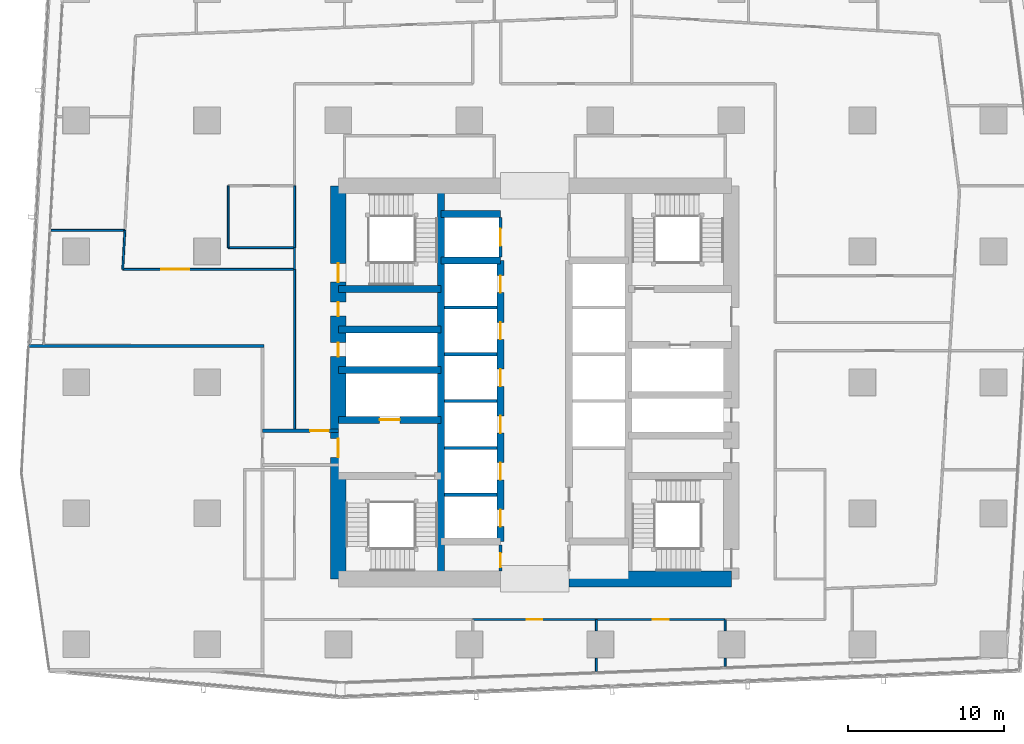
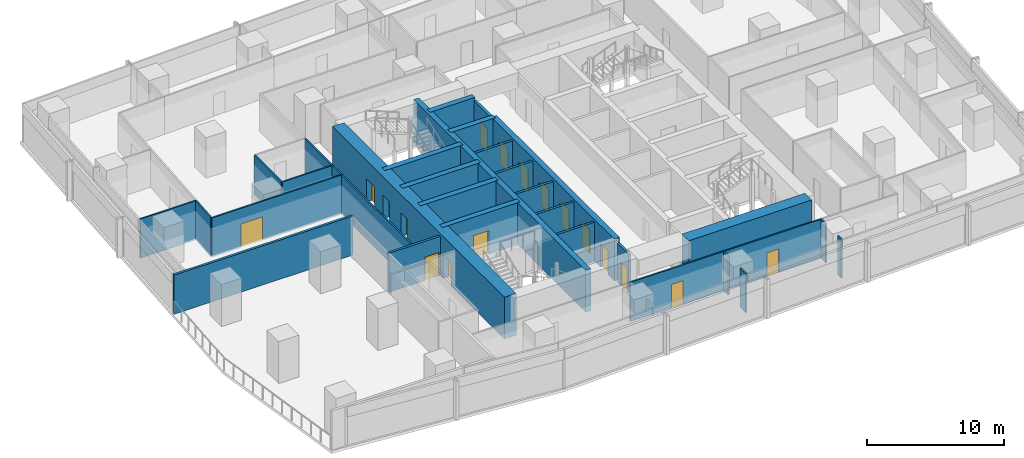
# One storey, part 27 of 38: 33 walls, 17 doors, 17 openings.
"""IFC4 building model written with IfcOpenShell, lengths in metres."""

from ifc_helpers import new_model, si_unit, direction, frame, frame_2d, origin, place, context, subcontext, project, spatial, rectangle, extrude, material, layer, layer_set, type_object, element, fill, save


model = new_model("IFC4")

# Units and contexts
model_context = context("Model", 3, precision=1e-05, world=origin(), true_north=direction((0.0, 1.0)))
body_context = subcontext(model_context, "Body", "Model", "MODEL_VIEW")
ifc_project = project(units=[si_unit("LENGTHUNIT", "METRE"), si_unit("AREAUNIT", "SQUARE_METRE"), si_unit("VOLUMEUNIT", "CUBIC_METRE"), si_unit("PLANEANGLEUNIT", "RADIAN"), si_unit("MASSUNIT", "GRAM", prefix="KILO")], contexts=[model_context])

# Site, building, storey
site_placement = place(None, origin())
site = spatial("IfcSite", under=ifc_project, at=site_placement, CompositionType="ELEMENT")
building_placement = place(site_placement, origin())
building = spatial("IfcBuilding", under=site, at=building_placement, Name="Rekha Terrace Tower", CompositionType="ELEMENT")
storey_placement = place(building_placement, frame((0.0, 0.0, 114.050048828125)))
storey = spatial("IfcBuildingStorey", under=building, at=storey_placement, Name="L28", CompositionType="ELEMENT", Elevation=114.050048828125)

# Wall
ifc_material_1 = material(Name="Concrete M70", Category="concrete")
ifc_layer_1 = layer(ifc_material_1, 0.449951171875)
ifc_layer_set_1 = layer_set([ifc_layer_1], Name="Concrete M70")
wall_type_1 = type_object("IfcWallType", Name="CI2 450 core internal shear wall", PredefinedType="SHEAR", material=ifc_layer_set_1)
wall_1_placement = place(storey_placement, frame((31.800048828125, 21.0, 0.0), z_axis=(0.0, 0.0, 1.0), x_axis=(0.0, 1.0, 0.0)))
element("IfcWall", 1, at=wall_1_placement, inside=storey, type_object=wall_type_1, Name="Core wall X318 L28", PredefinedType="SHEAR", context=body_context, shape_type="SweptSolid", body=[
    extrude(rectangle(XDim=25.199951171875, YDim=0.449951171875, at=frame_2d((12.60009765625, 0.0))), origin(), (0.0, 0.0, 1.0), 3.75),
])

# Wall, openings, doors
wall_2_placement = place(storey_placement, frame((35.60009765625, 23.39990234375, 0.0), z_axis=(0.0, 0.0, 1.0), x_axis=(0.0, 1.0, 0.0)))
wall_2 = element("IfcWall", 2, at=wall_2_placement, inside=storey, type_object=wall_type_1, Name="Core wall X356 L28", PredefinedType="SHEAR", context=body_context, shape_type="SweptSolid", body=[
    extrude(rectangle(XDim=18.0, YDim=0.449951171875, at=frame_2d((9.0, 0.0))), origin(), (0.0, 0.0, 1.0), 3.75),
])
opening_1_placement = place(wall_2_placement, frame((0.949951171875, 0.0, 0.0)))
opening_1 = element("IfcOpeningElement", 3, at=opening_1_placement, cuts=wall_2, Name="Opening LD1", PredefinedType="OPENING", context=body_context, shape_type="SweptSolid", body=[
    extrude(rectangle(XDim=1.10009765625, YDim=2.10009765625, at=frame_2d((0.550048828125, 1.050048828125))), frame((0.0, 0.23486328125, 0.0), z_axis=(0.0, -1.0, 0.0), x_axis=(1.0, 0.0, 0.0)), (0.0, 0.0, 1.0), 0.469970703125),
])
opening_2_placement = place(wall_2_placement, frame((3.949951171875, 0.0, 0.0)))
opening_2 = element("IfcOpeningElement", 4, at=opening_2_placement, cuts=wall_2, Name="Opening LD1", PredefinedType="OPENING", context=body_context, shape_type="SweptSolid", body=[
    extrude(rectangle(XDim=1.10009765625, YDim=2.10009765625, at=frame_2d((0.550048828125, 1.050048828125))), frame((0.0, 0.23486328125, 0.0), z_axis=(0.0, -1.0, 0.0), x_axis=(1.0, 0.0, 0.0)), (0.0, 0.0, 1.0), 0.469970703125),
])
opening_3_placement = place(wall_2_placement, frame((6.949951171875, 0.0, 0.0)))
opening_3 = element("IfcOpeningElement", 5, at=opening_3_placement, cuts=wall_2, Name="Opening LD1", PredefinedType="OPENING", context=body_context, shape_type="SweptSolid", body=[
    extrude(rectangle(XDim=1.10009765625, YDim=2.10009765625, at=frame_2d((0.550048828125, 1.050048828125))), frame((0.0, 0.23486328125, 0.0), z_axis=(0.0, -1.0, 0.0), x_axis=(1.0, 0.0, 0.0)), (0.0, 0.0, 1.0), 0.469970703125),
])
opening_4_placement = place(wall_2_placement, frame((9.949951171875, 0.0, 0.0)))
opening_4 = element("IfcOpeningElement", 6, at=opening_4_placement, cuts=wall_2, Name="Opening LD1", PredefinedType="OPENING", context=body_context, shape_type="SweptSolid", body=[
    extrude(rectangle(XDim=1.10009765625, YDim=2.10009765625, at=frame_2d((0.550048828125, 1.050048828125))), frame((0.0, 0.23486328125, 0.0), z_axis=(0.0, -1.0, 0.0), x_axis=(1.0, 0.0, 0.0)), (0.0, 0.0, 1.0), 0.469970703125),
])
opening_5_placement = place(wall_2_placement, frame((12.949951171875, 0.0, 0.0)))
opening_5 = element("IfcOpeningElement", 7, at=opening_5_placement, cuts=wall_2, Name="Opening LD1", PredefinedType="OPENING", context=body_context, shape_type="SweptSolid", body=[
    extrude(rectangle(XDim=1.10009765625, YDim=2.10009765625, at=frame_2d((0.550048828125, 1.050048828125))), frame((0.0, 0.23486328125, 0.0), z_axis=(0.0, -1.0, 0.0), x_axis=(1.0, 0.0, 0.0)), (0.0, 0.0, 1.0), 0.469970703125),
])
opening_6_placement = place(wall_2_placement, frame((15.949951171875, 0.0, 0.0)))
opening_6 = element("IfcOpeningElement", 8, at=opening_6_placement, cuts=wall_2, Name="Opening LD1", PredefinedType="OPENING", context=body_context, shape_type="SweptSolid", body=[
    extrude(rectangle(XDim=1.10009765625, YDim=2.10009765625, at=frame_2d((0.550048828125, 1.050048828125))), frame((0.0, 0.23486328125, 0.0), z_axis=(0.0, -1.0, 0.0), x_axis=(1.0, 0.0, 0.0)), (0.0, 0.0, 1.0), 0.469970703125),
])
ifc_material_2 = material(Name="Stainless steel sliding landing door", Category="steel")
door_type_1 = type_object("IfcDoorType", Name="LD1 1100x2100 lift landing door", OperationType="SLIDING_TO_LEFT", PredefinedType="USERDEFINED", material=ifc_material_2)
door_1_placement = place(opening_1_placement, origin())
door_1 = element("IfcDoor", 9, at=door_1_placement, inside=storey, type_object=door_type_1, Name="Lift B1 landing door L28", ObjectType="LIFT LANDING DOOR", OperationType="SLIDING_TO_LEFT", OverallHeight=2.10009765625, OverallWidth=1.10009765625, PredefinedType="USERDEFINED", context=body_context, shape_type="SweptSolid", body=[
    extrude(rectangle(XDim=1.10009765625, YDim=2.10009765625, at=frame_2d((0.550048828125, 1.050048828125))), frame((0.0, 0.02490234375, 0.0), z_axis=(0.0, -1.0, 0.0), x_axis=(1.0, 0.0, 0.0)), (0.0, 0.0, 1.0), 0.050048828125),
])
fill(opening_1, door_1)
door_2_placement = place(opening_2_placement, origin())
door_2 = element("IfcDoor", 10, at=door_2_placement, inside=storey, type_object=door_type_1, Name="Lift B2 landing door L28", ObjectType="LIFT LANDING DOOR", OperationType="SLIDING_TO_LEFT", OverallHeight=2.10009765625, OverallWidth=1.10009765625, PredefinedType="USERDEFINED", context=body_context, shape_type="SweptSolid", body=[
    extrude(rectangle(XDim=1.10009765625, YDim=2.10009765625, at=frame_2d((0.550048828125, 1.050048828125))), frame((0.0, 0.02490234375, 0.0), z_axis=(0.0, -1.0, 0.0), x_axis=(1.0, 0.0, 0.0)), (0.0, 0.0, 1.0), 0.050048828125),
])
fill(opening_2, door_2)
door_3_placement = place(opening_3_placement, origin())
door_3 = element("IfcDoor", 11, at=door_3_placement, inside=storey, type_object=door_type_1, Name="Lift B3 landing door L28", ObjectType="LIFT LANDING DOOR", OperationType="SLIDING_TO_LEFT", OverallHeight=2.10009765625, OverallWidth=1.10009765625, PredefinedType="USERDEFINED", context=body_context, shape_type="SweptSolid", body=[
    extrude(rectangle(XDim=1.10009765625, YDim=2.10009765625, at=frame_2d((0.550048828125, 1.050048828125))), frame((0.0, 0.02490234375, 0.0), z_axis=(0.0, -1.0, 0.0), x_axis=(1.0, 0.0, 0.0)), (0.0, 0.0, 1.0), 0.050048828125),
])
fill(opening_3, door_3)
door_4_placement = place(opening_4_placement, origin())
door_4 = element("IfcDoor", 12, at=door_4_placement, inside=storey, type_object=door_type_1, Name="Lift B4 landing door L28", ObjectType="LIFT LANDING DOOR", OperationType="SLIDING_TO_LEFT", OverallHeight=2.10009765625, OverallWidth=1.10009765625, PredefinedType="USERDEFINED", context=body_context, shape_type="SweptSolid", body=[
    extrude(rectangle(XDim=1.10009765625, YDim=2.10009765625, at=frame_2d((0.550048828125, 1.050048828125))), frame((0.0, 0.02490234375, 0.0), z_axis=(0.0, -1.0, 0.0), x_axis=(1.0, 0.0, 0.0)), (0.0, 0.0, 1.0), 0.050048828125),
])
fill(opening_4, door_4)
door_5_placement = place(opening_5_placement, origin())
door_5 = element("IfcDoor", 13, at=door_5_placement, inside=storey, type_object=door_type_1, Name="Lift B5 landing door L28", ObjectType="LIFT LANDING DOOR", OperationType="SLIDING_TO_LEFT", OverallHeight=2.10009765625, OverallWidth=1.10009765625, PredefinedType="USERDEFINED", context=body_context, shape_type="SweptSolid", body=[
    extrude(rectangle(XDim=1.10009765625, YDim=2.10009765625, at=frame_2d((0.550048828125, 1.050048828125))), frame((0.0, 0.02490234375, 0.0), z_axis=(0.0, -1.0, 0.0), x_axis=(1.0, 0.0, 0.0)), (0.0, 0.0, 1.0), 0.050048828125),
])
fill(opening_5, door_5)
door_6_placement = place(opening_6_placement, origin())
door_6 = element("IfcDoor", 14, at=door_6_placement, inside=storey, type_object=door_type_1, Name="Lift B6 landing door L28", ObjectType="LIFT LANDING DOOR", OperationType="SLIDING_TO_LEFT", OverallHeight=2.10009765625, OverallWidth=1.10009765625, PredefinedType="USERDEFINED", context=body_context, shape_type="SweptSolid", body=[
    extrude(rectangle(XDim=1.10009765625, YDim=2.10009765625, at=frame_2d((0.550048828125, 1.050048828125))), frame((0.0, 0.02490234375, 0.0), z_axis=(0.0, -1.0, 0.0), x_axis=(1.0, 0.0, 0.0)), (0.0, 0.0, 1.0), 0.050048828125),
])
fill(opening_6, door_6)

# Walls
for number, where, z_axis, x_axis, name in (
    (15, (31.800048828125, 41.39990234375, 0.0), (0.0, 0.0, 1.0), (1.0, 0.0, 0.0), "Core wall Y414W L28"),
    (16, (31.800048828125, 44.39990234375, 0.0), (0.0, 0.0, 1.0), (1.0, 0.0, 0.0), "Core wall Y444W L28"),
):
    element("IfcWall", number, at=place(storey_placement, frame(where, z_axis=z_axis, x_axis=x_axis)), inside=storey, type_object=wall_type_1, Name=name, PredefinedType="SHEAR", context=body_context, shape_type="SweptSolid", body=[
        extrude(rectangle(XDim=3.800048828125, YDim=0.449951171875, at=frame_2d((1.89990234375, 0.0))), origin(), (0.0, 0.0, 1.0), 3.75),
    ])

# Wall, opening, door
wall_3_placement = place(storey_placement, frame((25.199951171875, 31.199951171875, 0.0), z_axis=(0.0, 0.0, 1.0), x_axis=(1.0, 0.0, 0.0)))
wall_3 = element("IfcWall", 17, at=wall_3_placement, inside=storey, type_object=wall_type_1, Name="Core wall Y312W L28", PredefinedType="SHEAR", context=body_context, shape_type="SweptSolid", body=[
    extrude(rectangle(XDim=6.60009765625, YDim=0.449951171875, at=frame_2d((3.300048828125, 0.0))), origin(), (0.0, 0.0, 1.0), 3.75),
])
opening_7_placement = place(wall_3_placement, frame((2.64990234375, 0.0, 0.0)))
opening_7 = element("IfcOpeningElement", 18, at=opening_7_placement, cuts=wall_3, Name="Opening LD2", PredefinedType="OPENING", context=body_context, shape_type="SweptSolid", body=[
    extrude(rectangle(XDim=1.300048828125, YDim=2.10009765625, at=frame_2d((0.64990234375, 1.050048828125))), frame((0.0, 0.23486328125, 0.0), z_axis=(0.0, -1.0, 0.0), x_axis=(1.0, 0.0, 0.0)), (0.0, 0.0, 1.0), 0.469970703125),
])
door_type_2 = type_object("IfcDoorType", Name="LD2 1300x2100 fire lift landing door", OperationType="SLIDING_TO_LEFT", PredefinedType="USERDEFINED", material=ifc_material_2)
door_7_placement = place(opening_7_placement, origin())
door_7 = element("IfcDoor", 19, at=door_7_placement, inside=storey, type_object=door_type_2, Name="Lift FL1 landing door L28", ObjectType="LIFT LANDING DOOR", OperationType="SLIDING_TO_LEFT", OverallHeight=2.10009765625, OverallWidth=1.300048828125, PredefinedType="USERDEFINED", context=body_context, shape_type="SweptSolid", body=[
    extrude(rectangle(XDim=1.300048828125, YDim=2.10009765625, at=frame_2d((0.64990234375, 1.050048828125))), frame((0.0, 0.02490234375, 0.0), z_axis=(0.0, -1.0, 0.0), x_axis=(1.0, 0.0, 0.0)), (0.0, 0.0, 1.0), 0.050048828125),
])
fill(opening_7, door_7)

# Walls
for number, where, z_axis, x_axis, name in (
    (20, (25.199951171875, 34.39990234375, 0.0), (0.0, 0.0, 1.0), (1.0, 0.0, 0.0), "Core wall Y344W L28"),
    (21, (25.199951171875, 37.0, 0.0), (0.0, 0.0, 1.0), (1.0, 0.0, 0.0), "Core wall Y370W L28"),
    (22, (25.199951171875, 39.60009765625, 0.0), (0.0, 0.0, 1.0), (1.0, 0.0, 0.0), "Core wall Y396W L28"),
):
    element("IfcWall", number, at=place(storey_placement, frame(where, z_axis=z_axis, x_axis=x_axis)), inside=storey, type_object=wall_type_1, Name=name, PredefinedType="SHEAR", context=body_context, shape_type="SweptSolid", body=[
        extrude(rectangle(XDim=6.60009765625, YDim=0.449951171875, at=frame_2d((3.300048828125, 0.0))), origin(), (0.0, 0.0, 1.0), 3.75),
    ])
ifc_layer_2 = layer(ifc_material_1, 1.0)
ifc_layer_set_2 = layer_set([ifc_layer_2], Name="Concrete M70")
wall_type_2 = type_object("IfcWallType", Name="SW2 1000 core outer shear wall", PredefinedType="SHEAR", material=ifc_layer_set_2)
wall_4_placement = place(storey_placement, frame((40.0, 21.0, 0.0), z_axis=(0.0, 0.0, 1.0), x_axis=(1.0, 0.0, 0.0)))
element("IfcWall", 23, at=wall_4_placement, inside=storey, type_object=wall_type_2, Name="Core wall S2 L28", PredefinedType="SHEAR", context=body_context, shape_type="SweptSolid", body=[
    extrude(rectangle(XDim=10.39990234375, YDim=1.0, at=frame_2d((5.199951171875, 0.0))), origin(), (0.0, 0.0, 1.0), 3.75),
])

# Wall, openings, doors
wall_5_placement = place(storey_placement, frame((25.199951171875, 21.0, 0.0), z_axis=(0.0, 0.0, 1.0), x_axis=(0.0, 1.0, 0.0)))
wall_5 = element("IfcWall", 24, at=wall_5_placement, inside=storey, type_object=wall_type_2, Name="Core wall W L28", PredefinedType="SHEAR", context=body_context, shape_type="SweptSolid", body=[
    extrude(rectangle(XDim=25.199951171875, YDim=1.0, at=frame_2d((12.60009765625, 0.0))), origin(), (0.0, 0.0, 1.0), 3.75),
])
opening_8_placement = place(wall_5_placement, frame((7.800048828125, 0.0, 0.0)))
opening_8 = element("IfcOpeningElement", 25, at=opening_8_placement, cuts=wall_5, Name="Opening D2", PredefinedType="OPENING", context=body_context, shape_type="SweptSolid", body=[
    extrude(rectangle(XDim=1.199951171875, YDim=2.10009765625, at=frame_2d((0.60009765625, 1.050048828125))), frame((0.0, 0.510009765625, 0.0), z_axis=(0.0, -1.0, 0.0), x_axis=(1.0, 0.0, 0.0)), (0.0, 0.0, 1.0), 1.02001953125),
])
opening_9_placement = place(wall_5_placement, frame((14.25, 0.0, 0.0)))
opening_9 = element("IfcOpeningElement", 26, at=opening_9_placement, cuts=wall_5, Name="Opening D5", PredefinedType="OPENING", context=body_context, shape_type="SweptSolid", body=[
    extrude(rectangle(XDim=0.89990234375, YDim=2.10009765625, at=frame_2d((0.449951171875, 1.050048828125))), frame((0.0, 0.510009765625, 0.0), z_axis=(0.0, -1.0, 0.0), x_axis=(1.0, 0.0, 0.0)), (0.0, 0.0, 1.0), 1.02001953125),
])
opening_10_placement = place(wall_5_placement, frame((16.85009765625, 0.0, 0.0)))
opening_10 = element("IfcOpeningElement", 27, at=opening_10_placement, cuts=wall_5, Name="Opening D5", PredefinedType="OPENING", context=body_context, shape_type="SweptSolid", body=[
    extrude(rectangle(XDim=0.89990234375, YDim=2.10009765625, at=frame_2d((0.449951171875, 1.050048828125))), frame((0.0, 0.510009765625, 0.0), z_axis=(0.0, -1.0, 0.0), x_axis=(1.0, 0.0, 0.0)), (0.0, 0.0, 1.0), 1.02001953125),
])
opening_11_placement = place(wall_5_placement, frame((19.02490234375, 0.0, 0.0)))
opening_11 = element("IfcOpeningElement", 28, at=opening_11_placement, cuts=wall_5, Name="Opening D1", PredefinedType="OPENING", context=body_context, shape_type="SweptSolid", body=[
    extrude(rectangle(XDim=1.199951171875, YDim=2.10009765625, at=frame_2d((0.60009765625, 1.050048828125))), frame((0.0, 0.510009765625, 0.0), z_axis=(0.0, -1.0, 0.0), x_axis=(1.0, 0.0, 0.0)), (0.0, 0.0, 1.0), 1.02001953125),
])
ifc_material_3 = material(Name="Steel fire door", Category="steel")
door_type_3 = type_object("IfcDoorType", Name="D1 1200x2100 stair fire door", OperationType="SINGLE_SWING_RIGHT", PredefinedType="DOOR", material=ifc_material_3)
door_8_placement = place(opening_11_placement, origin())
door_8 = element("IfcDoor", 29, at=door_8_placement, inside=storey, type_object=door_type_3, Name="Stair ST4 door L28", OperationType="SINGLE_SWING_RIGHT", OverallHeight=2.10009765625, OverallWidth=1.199951171875, PredefinedType="DOOR", context=body_context, shape_type="SweptSolid", body=[
    extrude(rectangle(XDim=1.199951171875, YDim=2.10009765625, at=frame_2d((0.60009765625, 1.050048828125))), frame((0.0, 0.02490234375, 0.0), z_axis=(0.0, -1.0, 0.0), x_axis=(1.0, 0.0, 0.0)), (0.0, 0.0, 1.0), 0.050048828125),
])
fill(opening_11, door_8)
door_type_4 = type_object("IfcDoorType", Name="D2 1200x2100 firefighting lobby door", OperationType="SINGLE_SWING_LEFT", PredefinedType="DOOR", material=ifc_material_3)
door_9_placement = place(opening_8_placement, origin())
door_9 = element("IfcDoor", 30, at=door_9_placement, inside=storey, type_object=door_type_4, Name="Door flb1 L28", OperationType="SINGLE_SWING_LEFT", OverallHeight=2.10009765625, OverallWidth=1.199951171875, PredefinedType="DOOR", context=body_context, shape_type="SweptSolid", body=[
    extrude(rectangle(XDim=1.199951171875, YDim=2.10009765625, at=frame_2d((0.60009765625, 1.050048828125))), frame((0.0, 0.02490234375, 0.0), z_axis=(0.0, -1.0, 0.0), x_axis=(1.0, 0.0, 0.0)), (0.0, 0.0, 1.0), 0.050048828125),
])
fill(opening_8, door_9)
door_type_5 = type_object("IfcDoorType", Name="D5 900x2100 riser access door", OperationType="SINGLE_SWING_LEFT", PredefinedType="DOOR", material=ifc_material_3)
door_10_placement = place(opening_9_placement, origin())
door_10 = element("IfcDoor", 31, at=door_10_placement, inside=storey, type_object=door_type_5, Name="Door rs1 L28", OperationType="SINGLE_SWING_LEFT", OverallHeight=2.10009765625, OverallWidth=0.89990234375, PredefinedType="DOOR", context=body_context, shape_type="SweptSolid", body=[
    extrude(rectangle(XDim=0.89990234375, YDim=2.10009765625, at=frame_2d((0.449951171875, 1.050048828125))), frame((0.0, 0.02490234375, 0.0), z_axis=(0.0, -1.0, 0.0), x_axis=(1.0, 0.0, 0.0)), (0.0, 0.0, 1.0), 0.050048828125),
])
fill(opening_9, door_10)
door_11_placement = place(opening_10_placement, origin())
door_11 = element("IfcDoor", 32, at=door_11_placement, inside=storey, type_object=door_type_5, Name="Door elw L28", OperationType="SINGLE_SWING_LEFT", OverallHeight=2.10009765625, OverallWidth=0.89990234375, PredefinedType="DOOR", context=body_context, shape_type="SweptSolid", body=[
    extrude(rectangle(XDim=0.89990234375, YDim=2.10009765625, at=frame_2d((0.449951171875, 1.050048828125))), frame((0.0, 0.02490234375, 0.0), z_axis=(0.0, -1.0, 0.0), x_axis=(1.0, 0.0, 0.0)), (0.0, 0.0, 1.0), 0.050048828125),
])
fill(opening_10, door_11)

# Walls
ifc_material_4 = material(Name="Concrete block masonry, 1 hour", Category="masonry")
ifc_layer_3 = layer(ifc_material_4, 0.14990234375)
ifc_layer_set_3 = layer_set([ifc_layer_3], Name="Concrete block masonry, 1 hour")
wall_type_3 = type_object("IfcWallType", Name="WP2 150 tenancy partition", PredefinedType="PARTITIONING", material=ifc_layer_set_3)
wall_6_placement = place(storey_placement, frame((22.39990234375, 42.237060546875, 0.0), z_axis=(0.0, 0.0, 1.0), x_axis=(0.0, -1.0, 0.0)))
element("IfcWall", 33, at=wall_6_placement, inside=storey, type_object=wall_type_3, Name="Partition L28-O2", PredefinedType="PARTITIONING", context=body_context, shape_type="SweptSolid", body=[
    extrude(rectangle(XDim=1.39306640625, YDim=0.14990234375, at=frame_2d((0.696533203125, 0.0))), origin(), (0.0, 0.0, 1.0), 3.5),
])
ifc_material_5 = material(Name="Two layers of fire-rated gypsum board each side on steel studs, acoustic quilt, 1 hour", Category="steel")
ifc_layer_4 = layer(ifc_material_5, 0.125)
ifc_layer_set_4 = layer_set([ifc_layer_4], Name="Two layers of fire-rated gypsum board each side on steel studs, acoustic quilt, 1 hour")
wall_type_4 = type_object("IfcWallType", Name="WP3 125 office partition", PredefinedType="PARTITIONING", material=ifc_layer_set_4)
wall_7_placement = place(storey_placement, frame((41.740966796875, 15.080078125, 0.0), z_axis=(0.0, 0.0, 1.0), x_axis=(0.0, 1.0, 0.0)))
element("IfcWall", 34, at=wall_7_placement, inside=storey, type_object=wall_type_4, Name="Partition L28-02", PredefinedType="PARTITIONING", context=body_context, shape_type="SweptSolid", body=[
    extrude(rectangle(XDim=0.849853515625, YDim=0.125, at=frame_2d((0.4248046875, 0.0))), origin(), (0.0, 0.0, 1.0), 3.5),
])
wall_8_placement = place(storey_placement, frame((41.740966796875, 17.669921875, 0.0), z_axis=(0.0, 0.0, 1.0), x_axis=(0.0, 1.0, 0.0)))
element("IfcWall", 35, at=wall_8_placement, inside=storey, type_object=wall_type_4, Name="Partition L28-02", PredefinedType="PARTITIONING", context=body_context, shape_type="SweptSolid", body=[
    extrude(rectangle(XDim=0.72998046875, YDim=0.125, at=frame_2d((0.364990234375, 0.0))), origin(), (0.0, 0.0, 1.0), 3.5),
])

# Wall, opening, door
wall_9_placement = place(storey_placement, frame((41.740966796875, 18.39990234375, 0.0), z_axis=(0.0, 0.0, 1.0), x_axis=(1.0, 0.0, 0.0)))
wall_9 = element("IfcWall", 36, at=wall_9_placement, inside=storey, type_object=wall_type_4, Name="Partition L28-02", PredefinedType="PARTITIONING", context=body_context, shape_type="SweptSolid", body=[
    extrude(rectangle(XDim=8.258056640625, YDim=0.125, at=frame_2d((4.12890625, 0.0))), origin(), (0.0, 0.0, 1.0), 3.5),
])
opening_12_placement = place(wall_9_placement, frame((3.62890625, 0.0, 0.0)))
opening_12 = element("IfcOpeningElement", 37, at=opening_12_placement, cuts=wall_9, Name="Opening D9", PredefinedType="OPENING", context=body_context, shape_type="SweptSolid", body=[
    extrude(rectangle(XDim=1.0, YDim=2.10009765625, at=frame_2d((0.5, 1.050048828125))), frame((0.0, 0.072509765625, 0.0), z_axis=(0.0, -1.0, 0.0), x_axis=(1.0, 0.0, 0.0)), (0.0, 0.0, 1.0), 0.14501953125),
])
ifc_material_6 = material(Name="Timber fire door", Category="wood")
door_type_6 = type_object("IfcDoorType", Name="D9 1000x2100 office door", OperationType="SINGLE_SWING_LEFT", PredefinedType="DOOR", material=ifc_material_6)
door_12_placement = place(opening_12_placement, origin())
door_12 = element("IfcDoor", 38, at=door_12_placement, inside=storey, type_object=door_type_6, Name="Door pantry L28", OperationType="SINGLE_SWING_LEFT", OverallHeight=2.10009765625, OverallWidth=1.0, PredefinedType="DOOR", context=body_context, shape_type="SweptSolid", body=[
    extrude(rectangle(XDim=1.0, YDim=2.10009765625, at=frame_2d((0.5, 1.050048828125))), frame((0.0, 0.02490234375, 0.0), z_axis=(0.0, -1.0, 0.0), x_axis=(1.0, 0.0, 0.0)), (0.0, 0.0, 1.0), 0.050048828125),
])
fill(opening_12, door_12)

# Walls
wall_10_placement = place(storey_placement, frame((49.9990234375, 18.39990234375, 0.0), z_axis=(0.0, 0.0, 1.0), x_axis=(0.0, -1.0, 0.0)))
element("IfcWall", 39, at=wall_10_placement, inside=storey, type_object=wall_type_4, Name="Partition L28-02", PredefinedType="PARTITIONING", context=body_context, shape_type="SweptSolid", body=[
    extrude(rectangle(XDim=0.72998046875, YDim=0.125, at=frame_2d((0.364990234375, 0.0))), origin(), (0.0, 0.0, 1.0), 3.5),
])
wall_11_placement = place(storey_placement, frame((49.9990234375, 15.929931640625, 0.0), z_axis=(0.0, 0.0, 1.0), x_axis=(0.0, -1.0, 0.0)))
element("IfcWall", 40, at=wall_11_placement, inside=storey, type_object=wall_type_4, Name="Partition L28-02", PredefinedType="PARTITIONING", context=body_context, shape_type="SweptSolid", body=[
    extrude(rectangle(XDim=0.529052734375, YDim=0.125, at=frame_2d((0.2646484375, 0.0))), origin(), (0.0, 0.0, 1.0), 3.5),
])
wall_12_placement = place(storey_placement, frame((11.52294921875, 43.340087890625, 0.0), z_axis=(0.0, 0.0, 1.0), x_axis=(-1.0, 0.0, 0.0)))
element("IfcWall", 41, at=wall_12_placement, inside=storey, type_object=wall_type_4, Name="Partition L28-17", PredefinedType="PARTITIONING", context=body_context, shape_type="SweptSolid", body=[
    extrude(rectangle(XDim=4.72705078125, YDim=0.125, at=frame_2d((2.363525390625, 0.0))), origin(), (0.0, 0.0, 1.0), 3.5),
])
wall_13_placement = place(storey_placement, frame((22.39990234375, 40.843994140625, 0.0), z_axis=(0.0, 0.0, 1.0), x_axis=(0.0, -1.0, 0.0)))
element("IfcWall", 42, at=wall_13_placement, inside=storey, type_object=wall_type_4, Name="Partition L28-18", PredefinedType="PARTITIONING", context=body_context, shape_type="SweptSolid", body=[
    extrude(rectangle(XDim=10.23291015625, YDim=0.125, at=frame_2d((5.116455078125, 0.0))), origin(), (0.0, 0.0, 1.0), 3.5),
])
wall_14_placement = place(storey_placement, frame((11.52294921875, 43.339111328125, 0.0), z_axis=(0.0, 0.0, 1.0), x_axis=(-0.054809854256, -0.998496810148, 0.0)))
element("IfcWall", 43, at=wall_14_placement, inside=storey, type_object=wall_type_4, Name="Partition L28-18", PredefinedType="PARTITIONING", context=body_context, shape_type="SweptSolid", body=[
    extrude(rectangle(XDim=2.498779296875, YDim=0.125, at=frame_2d((1.24951171875, 0.0))), origin(), (0.0, 0.0, 1.0), 3.5),
])

# Wall, opening, door
wall_15_placement = place(storey_placement, frame((11.385986328125, 40.843994140625, 0.0), z_axis=(0.0, 0.0, 1.0), x_axis=(1.0, 0.0, 0.0)))
wall_15 = element("IfcWall", 44, at=wall_15_placement, inside=storey, type_object=wall_type_4, Name="Partition L28-18", PredefinedType="PARTITIONING", context=body_context, shape_type="SweptSolid", body=[
    extrude(rectangle(XDim=11.013916015625, YDim=0.125, at=frame_2d((5.5068359375, 0.0))), origin(), (0.0, 0.0, 1.0), 3.5),
])
opening_13_placement = place(wall_15_placement, frame((2.47802734375, 0.0, 0.0)))
opening_13 = element("IfcOpeningElement", 45, at=opening_13_placement, cuts=wall_15, Name="Opening D8", PredefinedType="OPENING", context=body_context, shape_type="SweptSolid", body=[
    extrude(rectangle(XDim=1.800048828125, YDim=2.10009765625, at=frame_2d((0.89990234375, 1.050048828125))), frame((0.0, 0.072509765625, 0.0), z_axis=(0.0, -1.0, 0.0), x_axis=(1.0, 0.0, 0.0)), (0.0, 0.0, 1.0), 0.14501953125),
])
door_type_7 = type_object("IfcDoorType", Name="D8 1800x2100 double leaf door", OperationType="DOUBLE_DOOR_SINGLE_SWING", PredefinedType="DOOR", material=ifc_material_6)
door_13_placement = place(opening_13_placement, origin())
door_13 = element("IfcDoor", 46, at=door_13_placement, inside=storey, type_object=door_type_7, Name="Door meeting room L28", OperationType="DOUBLE_DOOR_SINGLE_SWING", OverallHeight=2.10009765625, OverallWidth=1.800048828125, PredefinedType="DOOR", context=body_context, shape_type="SweptSolid", body=[
    extrude(rectangle(XDim=1.800048828125, YDim=2.10009765625, at=frame_2d((0.89990234375, 1.050048828125))), frame((0.0, 0.02490234375, 0.0), z_axis=(0.0, -1.0, 0.0), x_axis=(1.0, 0.0, 0.0)), (0.0, 0.0, 1.0), 0.050048828125),
])
fill(opening_13, door_13)

# Walls
for number, where, z_axis, x_axis, name in (
    (47, (18.14990234375, 42.237060546875, 0.0), (0.0, 0.0, 1.0), (0.0, 1.0, 0.0), "Partition L28-19"),
    (48, (22.39990234375, 46.199951171875, 0.0), (0.0, 0.0, 1.0), (0.0, -1.0, 0.0), "Partition L28-19"),
):
    element("IfcWall", number, at=place(storey_placement, frame(where, z_axis=z_axis, x_axis=x_axis)), inside=storey, type_object=wall_type_4, Name=name, PredefinedType="PARTITIONING", context=body_context, shape_type="SweptSolid", body=[
        extrude(rectangle(XDim=3.962890625, YDim=0.125, at=frame_2d((1.9814453125, 0.0))), origin(), (0.0, 0.0, 1.0), 3.5),
    ])
wall_16_placement = place(storey_placement, frame((22.39990234375, 42.237060546875, 0.0), z_axis=(0.0, 0.0, 1.0), x_axis=(-1.0, 0.0, 0.0)))
element("IfcWall", 49, at=wall_16_placement, inside=storey, type_object=wall_type_4, Name="Partition L28-19", PredefinedType="PARTITIONING", context=body_context, shape_type="SweptSolid", body=[
    extrude(rectangle(XDim=4.25, YDim=0.125, at=frame_2d((2.125, 0.0))), origin(), (0.0, 0.0, 1.0), 3.5),
])

# Wall, opening, door
wall_17_placement = place(storey_placement, frame((33.825927734375, 18.39990234375, 0.0), z_axis=(0.0, 0.0, 1.0), x_axis=(1.0, 0.0, 0.0)))
wall_17 = element("IfcWall", 50, at=wall_17_placement, inside=storey, type_object=wall_type_4, Name="Partition L28-21", PredefinedType="PARTITIONING", context=body_context, shape_type="SweptSolid", body=[
    extrude(rectangle(XDim=7.9140625, YDim=0.125, at=frame_2d((3.95703125, 0.0))), origin(), (0.0, 0.0, 1.0), 3.5),
])
opening_14_placement = place(wall_17_placement, frame((3.45703125, 0.0, 0.0)))
opening_14 = element("IfcOpeningElement", 51, at=opening_14_placement, cuts=wall_17, Name="Opening D9", PredefinedType="OPENING", context=body_context, shape_type="SweptSolid", body=[
    extrude(rectangle(XDim=1.0, YDim=2.10009765625, at=frame_2d((0.5, 1.050048828125))), frame((0.0, 0.072509765625, 0.0), z_axis=(0.0, -1.0, 0.0), x_axis=(1.0, 0.0, 0.0)), (0.0, 0.0, 1.0), 0.14501953125),
])
door_14_placement = place(opening_14_placement, origin())
door_14 = element("IfcDoor", 52, at=door_14_placement, inside=storey, type_object=door_type_6, Name="Door pantry L28", OperationType="SINGLE_SWING_LEFT", OverallHeight=2.10009765625, OverallWidth=1.0, PredefinedType="DOOR", context=body_context, shape_type="SweptSolid", body=[
    extrude(rectangle(XDim=1.0, YDim=2.10009765625, at=frame_2d((0.5, 1.050048828125))), frame((0.0, 0.02490234375, 0.0), z_axis=(0.0, -1.0, 0.0), x_axis=(1.0, 0.0, 0.0)), (0.0, 0.0, 1.0), 0.050048828125),
])
fill(opening_14, door_14)

# Walls
ifc_material_7 = material(Name="Solid concrete block masonry, 2 hour", Category="masonry")
ifc_layer_5 = layer(ifc_material_7, 0.199951171875)
ifc_layer_set_5 = layer_set([ifc_layer_5], Name="Solid concrete block masonry, 2 hour")
wall_type_5 = type_object("IfcWallType", Name="WS1 200 stair and shaft enclosure", PredefinedType="PARTITIONING", material=ifc_layer_set_5)
for number, where, z_axis, x_axis, name in (
    (53, (32.02490234375, 26.39990234375, 0.0), (0.0, 0.0, 1.0), (1.0, 0.0, 0.0), "Lift shaft divider L28"),
    (54, (32.02490234375, 29.39990234375, 0.0), (0.0, 0.0, 1.0), (1.0, 0.0, 0.0), "Lift shaft divider L28"),
    (55, (32.02490234375, 32.39990234375, 0.0), (0.0, 0.0, 1.0), (1.0, 0.0, 0.0), "Lift shaft divider L28"),
    (56, (32.02490234375, 35.39990234375, 0.0), (0.0, 0.0, 1.0), (1.0, 0.0, 0.0), "Lift shaft divider L28"),
    (57, (32.02490234375, 38.39990234375, 0.0), (0.0, 0.0, 1.0), (1.0, 0.0, 0.0), "Lift shaft divider L28"),
):
    element("IfcWall", number, at=place(storey_placement, frame(where, z_axis=z_axis, x_axis=x_axis)), inside=storey, type_object=wall_type_5, Name=name, PredefinedType="PARTITIONING", context=body_context, shape_type="SweptSolid", body=[
        extrude(rectangle(XDim=3.35009765625, YDim=0.199951171875, at=frame_2d((1.675048828125, 0.0))), origin(), (0.0, 0.0, 1.0), 3.5),
    ])

# Wall, opening, door
wall_18_placement = place(storey_placement, frame((35.60009765625, 41.625, 0.0), z_axis=(0.0, 0.0, 1.0), x_axis=(0.0, 1.0, 0.0)))
wall_18 = element("IfcWall", 58, at=wall_18_placement, inside=storey, type_object=wall_type_5, Name="Core partition jansv L28", PredefinedType="PARTITIONING", context=body_context, shape_type="SweptSolid", body=[
    extrude(rectangle(XDim=2.550048828125, YDim=0.199951171875, at=frame_2d((1.27490234375, 0.0))), origin(), (0.0, 0.0, 1.0), 3.5),
])
opening_15_placement = place(wall_18_placement, frame((0.72509765625, 0.0, 0.0)))
opening_15 = element("IfcOpeningElement", 59, at=opening_15_placement, cuts=wall_18, Name="Opening LD1", PredefinedType="OPENING", context=body_context, shape_type="SweptSolid", body=[
    extrude(rectangle(XDim=1.10009765625, YDim=2.10009765625, at=frame_2d((0.550048828125, 1.050048828125))), frame((0.0, 0.10986328125, 0.0), z_axis=(0.0, -1.0, 0.0), x_axis=(1.0, 0.0, 0.0)), (0.0, 0.0, 1.0), 0.219970703125),
])
door_15_placement = place(opening_15_placement, origin())
door_15 = element("IfcDoor", 60, at=door_15_placement, inside=storey, type_object=door_type_1, Name="Lift SV1 landing door L28", ObjectType="LIFT LANDING DOOR", OperationType="SLIDING_TO_LEFT", OverallHeight=2.10009765625, OverallWidth=1.10009765625, PredefinedType="USERDEFINED", context=body_context, shape_type="SweptSolid", body=[
    extrude(rectangle(XDim=1.10009765625, YDim=2.10009765625, at=frame_2d((0.550048828125, 1.050048828125))), frame((0.0, 0.02490234375, 0.0), z_axis=(0.0, -1.0, 0.0), x_axis=(1.0, 0.0, 0.0)), (0.0, 0.0, 1.0), 0.050048828125),
])
fill(opening_15, door_15)

wall_19_placement = place(storey_placement, frame((35.60009765625, 21.5, 0.0), z_axis=(0.0, 0.0, 1.0), x_axis=(0.0, 1.0, 0.0)))
wall_19 = element("IfcWall", 61, at=wall_19_placement, inside=storey, type_object=wall_type_5, Name="Core partition west L28", PredefinedType="PARTITIONING", context=body_context, shape_type="SweptSolid", body=[
    extrude(rectangle(XDim=1.675048828125, YDim=0.199951171875, at=frame_2d((0.83740234375, 0.0))), origin(), (0.0, 0.0, 1.0), 3.5),
])
opening_16_placement = place(wall_19_placement, frame((0.25, 0.0, 0.0)))
opening_16 = element("IfcOpeningElement", 62, at=opening_16_placement, cuts=wall_19, Name="Opening D5", PredefinedType="OPENING", context=body_context, shape_type="SweptSolid", body=[
    extrude(rectangle(XDim=0.89990234375, YDim=2.10009765625, at=frame_2d((0.449951171875, 1.050048828125))), frame((0.0, 0.10986328125, 0.0), z_axis=(0.0, -1.0, 0.0), x_axis=(1.0, 0.0, 0.0)), (0.0, 0.0, 1.0), 0.219970703125),
])
door_16_placement = place(opening_16_placement, origin())
door_16 = element("IfcDoor", 63, at=door_16_placement, inside=storey, type_object=door_type_5, Name="Door it comms room L28", OperationType="SINGLE_SWING_LEFT", OverallHeight=2.10009765625, OverallWidth=0.89990234375, PredefinedType="DOOR", context=body_context, shape_type="SweptSolid", body=[
    extrude(rectangle(XDim=0.89990234375, YDim=2.10009765625, at=frame_2d((0.449951171875, 1.050048828125))), frame((0.0, 0.02490234375, 0.0), z_axis=(0.0, -1.0, 0.0), x_axis=(1.0, 0.0, 0.0)), (0.0, 0.0, 1.0), 0.050048828125),
])
fill(opening_16, door_16)

# Wall
wall_20_placement = place(storey_placement, frame((5.347900390625, 35.943115234375, 0.0), z_axis=(0.0, 0.0, 1.0), x_axis=(1.0, 0.0, 0.0)))
element("IfcWall", 64, at=wall_20_placement, inside=storey, type_object=wall_type_5, Name="Refuge area north wall L28", PredefinedType="PARTITIONING", context=body_context, shape_type="SweptSolid", body=[
    extrude(rectangle(XDim=15.10205078125, YDim=0.199951171875, at=frame_2d((7.551025390625, 0.0))), origin(), (0.0, 0.0, 1.0), 3.5),
])

# Wall, opening, door
wall_21_placement = place(storey_placement, frame((20.35009765625, 30.5, 0.0), z_axis=(0.0, 0.0, 1.0), x_axis=(1.0, 0.0, 0.0)))
wall_21 = element("IfcWall", 65, at=wall_21_placement, inside=storey, type_object=wall_type_5, Name="Refuge corridor north wall L28", PredefinedType="PARTITIONING", context=body_context, shape_type="SweptSolid", body=[
    extrude(rectangle(XDim=4.849853515625, YDim=0.199951171875, at=frame_2d((2.4248046875, 0.0))), origin(), (0.0, 0.0, 1.0), 3.5),
])
opening_17_placement = place(wall_21_placement, frame((3.050048828125, 0.0, 0.0)))
opening_17 = element("IfcOpeningElement", 66, at=opening_17_placement, cuts=wall_21, Name="Opening D2", PredefinedType="OPENING", context=body_context, shape_type="SweptSolid", body=[
    extrude(rectangle(XDim=1.199951171875, YDim=2.10009765625, at=frame_2d((0.60009765625, 1.050048828125))), frame((0.0, 0.10986328125, 0.0), z_axis=(0.0, -1.0, 0.0), x_axis=(1.0, 0.0, 0.0)), (0.0, 0.0, 1.0), 0.219970703125),
])
door_17_placement = place(opening_17_placement, origin())
door_17 = element("IfcDoor", 67, at=door_17_placement, inside=storey, type_object=door_type_4, Name="Refuge corridor door L28", OperationType="SINGLE_SWING_LEFT", OverallHeight=2.10009765625, OverallWidth=1.199951171875, PredefinedType="DOOR", context=body_context, shape_type="SweptSolid", body=[
    extrude(rectangle(XDim=1.199951171875, YDim=2.10009765625, at=frame_2d((0.60009765625, 1.050048828125))), frame((0.0, 0.02490234375, 0.0), z_axis=(0.0, -1.0, 0.0), x_axis=(1.0, 0.0, 0.0)), (0.0, 0.0, 1.0), 0.050048828125),
])
fill(opening_17, door_17)

save(model, "model.ifc")
